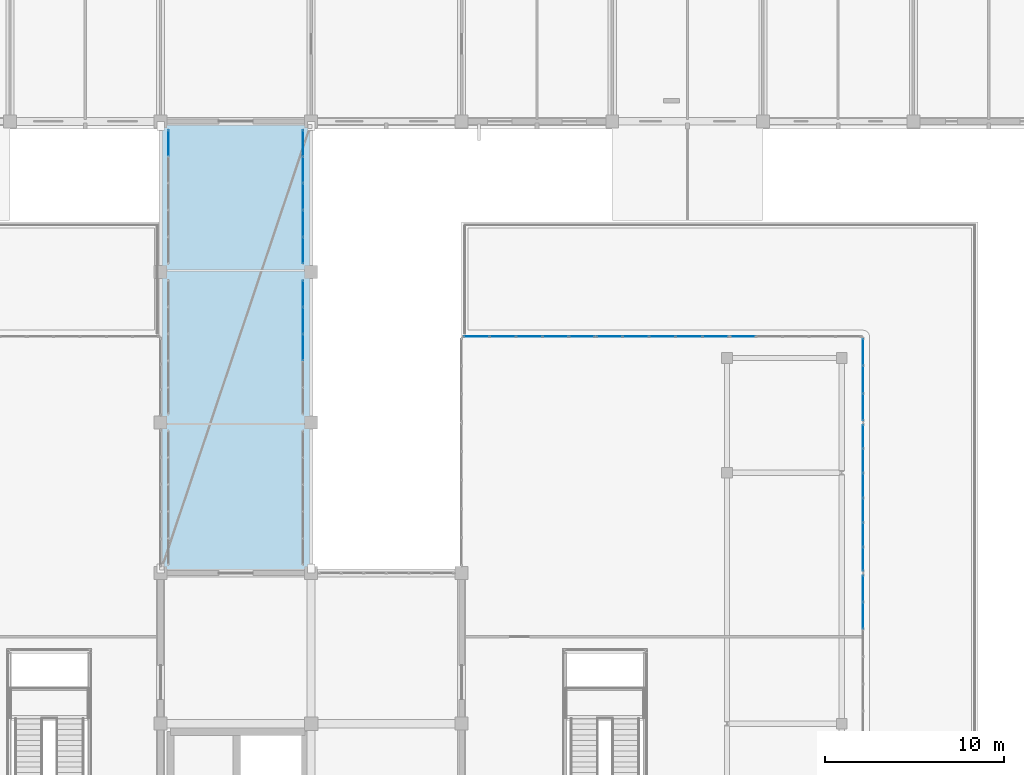
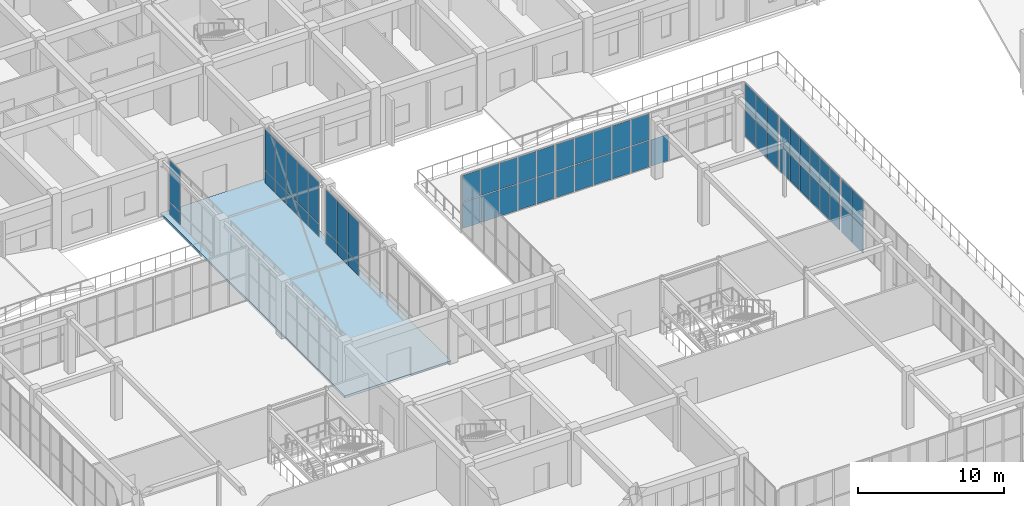
# One storey, part 109 of 158: 61 plates, 1 slab, 9 elements without a shape of their own.
"""IFC4 building model written with IfcOpenShell, lengths in metres."""

from ifc_helpers import new_model, si_unit, direction, frame, origin, origin_2d, place, context, subcontext, project, spatial, polyline, rectangle, outline, extrude, material, layer, layer_set, type_object, element, aggregate, save


model = new_model("IFC4")

# Units and contexts
model_context = context("Model", 3, precision=1e-05, world=origin(), true_north=direction((0.0, 1.0)))
body_context = subcontext(model_context, "Body", "Model", "MODEL_VIEW")
ifc_project = project(units=[si_unit("LENGTHUNIT", "METRE"), si_unit("AREAUNIT", "SQUARE_METRE"), si_unit("VOLUMEUNIT", "CUBIC_METRE"), si_unit("PLANEANGLEUNIT", "RADIAN"), si_unit("MASSUNIT", "GRAM", prefix="KILO")], contexts=[model_context])

# Site, building, storey
site_placement = place(None, origin())
site = spatial("IfcSite", under=ifc_project, at=site_placement, CompositionType="ELEMENT")
building_placement = place(site_placement, origin())
building = spatial("IfcBuilding", under=site, at=building_placement, Name="Trelvath General Hospital", CompositionType="ELEMENT")
storey_placement = place(building_placement, frame((0.0, 0.0, 8.10009765625)))
storey = spatial("IfcBuildingStorey", under=building, at=storey_placement, Name="L02", CompositionType="ELEMENT", Elevation=8.10009765625)

# Slab
ifc_material_1 = material(Name="Concrete C35/45", Category="concrete")
ifc_layer_1 = layer(ifc_material_1, 0.18994140625)
ifc_layer_set_1 = layer_set([ifc_layer_1], Name="Concrete C35/45")
slab_type = type_object("IfcSlabType", Name="BridgeDeck 190", PredefinedType="FLOOR", material=ifc_layer_set_1)
slab_placement = place(storey_placement, frame((0.0, 0.0, -0.190185546875)))
element("IfcSlab", 1, at=slab_placement, inside=storey, type_object=slab_type, Name="Courtyard Bridge Deck BRG-N-C L02", PredefinedType="FLOOR", context=body_context, shape_type="SweptSolid", body=[
    extrude(outline(polyline([(75.60009765625, 67.199951171875), (84.0, 67.199951171875), (84.0, 92.39990234375), (75.60009765625, 92.39990234375), (75.60009765625, 67.199951171875)])), origin(), (0.0, 0.0, 1.0), 0.190185546875),
])

# Curtain wall, plates
ifc_material_2 = material(Name="Anodised aluminium and low-E glass", Category="aluminium")
ifc_layer_2 = layer(ifc_material_2, 0.139892578125)
ifc_layer_set_2 = layer_set([ifc_layer_2], Name="Anodised aluminium and low-E glass")
curtain_wall_type_1 = type_object("IfcCurtainWallType", Name="CW CrystalCube 737 456 14", PredefinedType="USERDEFINED", material=ifc_layer_set_2)
curtain_wall_1_placement = place(storey_placement, origin())
curtain_wall_1 = element("IfcCurtainWall", 2, at=curtain_wall_1_placement, inside=storey, type_object=curtain_wall_type_1, Name="Crystal Cube Curtain Wall CUBE-E-T1 N1 L02", ObjectType="Unitised Glazed Curtain Wall", PredefinedType="USERDEFINED")
ifc_material_3 = material(Name="Low-E laminated glass", Category="glass")
ifc_layer_3 = layer(ifc_material_3, 0.028076171875)
ifc_layer_set_3 = layer_set([ifc_layer_3], Name="Low-E laminated glass")
plate_type = type_object("IfcPlateType", Name="CurtainPanel Glass28", PredefinedType="CURTAIN_PANEL", material=ifc_layer_set_3)
plate_1_placement = place(storey_placement, frame((93.231689453125, 80.39990234375, 0.059814453125), z_axis=(0.0, 0.0, 1.0), x_axis=(1.0, 0.0, 0.0)))
plate_1 = element("IfcPlate", 3, at=plate_1_placement, type_object=plate_type, Name="CW-208 panel 1.1", PredefinedType="CURTAIN_PANEL", context=body_context, shape_type="SweptSolid", body=[
    extrude(rectangle(XDim=1.38330078125, YDim=0.028076171875, at=origin_2d()), origin(), (0.0, 0.0, 1.0), 2.18994140625),
])
plate_2_placement = place(storey_placement, frame((93.231689453125, 80.39990234375, 2.309814453125), z_axis=(0.0, 0.0, 1.0), x_axis=(1.0, 0.0, 0.0)))
plate_2 = element("IfcPlate", 4, at=plate_2_placement, type_object=plate_type, Name="CW-208 panel 1.2", PredefinedType="CURTAIN_PANEL", context=body_context, shape_type="SweptSolid", body=[
    extrude(rectangle(XDim=1.38330078125, YDim=0.028076171875, at=origin_2d()), origin(), (0.0, 0.0, 1.0), 2.18994140625),
])
plate_3_placement = place(storey_placement, frame((94.68994140625, 80.39990234375, 0.059814453125), z_axis=(0.0, 0.0, 1.0), x_axis=(1.0, 0.0, 0.0)))
plate_3 = element("IfcPlate", 5, at=plate_3_placement, type_object=plate_type, Name="CW-208 panel 2.1", PredefinedType="CURTAIN_PANEL", context=body_context, shape_type="SweptSolid", body=[
    extrude(rectangle(XDim=1.413330078125, YDim=0.028076171875, at=origin_2d()), origin(), (0.0, 0.0, 1.0), 2.18994140625),
])
plate_4_placement = place(storey_placement, frame((94.68994140625, 80.39990234375, 2.309814453125), z_axis=(0.0, 0.0, 1.0), x_axis=(1.0, 0.0, 0.0)))
plate_4 = element("IfcPlate", 6, at=plate_4_placement, type_object=plate_type, Name="CW-208 panel 2.2", PredefinedType="CURTAIN_PANEL", context=body_context, shape_type="SweptSolid", body=[
    extrude(rectangle(XDim=1.413330078125, YDim=0.028076171875, at=origin_2d()), origin(), (0.0, 0.0, 1.0), 2.18994140625),
])
plate_5_placement = place(storey_placement, frame((96.163330078125, 80.39990234375, 0.059814453125), z_axis=(0.0, 0.0, 1.0), x_axis=(1.0, 0.0, 0.0)))
plate_5 = element("IfcPlate", 7, at=plate_5_placement, type_object=plate_type, Name="CW-208 panel 3.1", PredefinedType="CURTAIN_PANEL", context=body_context, shape_type="SweptSolid", body=[
    extrude(rectangle(XDim=1.413330078125, YDim=0.028076171875, at=origin_2d()), origin(), (0.0, 0.0, 1.0), 2.18994140625),
])
plate_6_placement = place(storey_placement, frame((96.163330078125, 80.39990234375, 2.309814453125), z_axis=(0.0, 0.0, 1.0), x_axis=(1.0, 0.0, 0.0)))
plate_6 = element("IfcPlate", 8, at=plate_6_placement, type_object=plate_type, Name="CW-208 panel 3.2", PredefinedType="CURTAIN_PANEL", context=body_context, shape_type="SweptSolid", body=[
    extrude(rectangle(XDim=1.413330078125, YDim=0.028076171875, at=origin_2d()), origin(), (0.0, 0.0, 1.0), 2.18994140625),
])
plate_7_placement = place(storey_placement, frame((97.63671875, 80.39990234375, 0.059814453125), z_axis=(0.0, 0.0, 1.0), x_axis=(1.0, 0.0, 0.0)))
plate_7 = element("IfcPlate", 9, at=plate_7_placement, type_object=plate_type, Name="CW-208 panel 4.1", PredefinedType="CURTAIN_PANEL", context=body_context, shape_type="SweptSolid", body=[
    extrude(rectangle(XDim=1.413330078125, YDim=0.028076171875, at=origin_2d()), origin(), (0.0, 0.0, 1.0), 2.18994140625),
])
plate_8_placement = place(storey_placement, frame((97.63671875, 80.39990234375, 2.309814453125), z_axis=(0.0, 0.0, 1.0), x_axis=(1.0, 0.0, 0.0)))
plate_8 = element("IfcPlate", 10, at=plate_8_placement, type_object=plate_type, Name="CW-208 panel 4.2", PredefinedType="CURTAIN_PANEL", context=body_context, shape_type="SweptSolid", body=[
    extrude(rectangle(XDim=1.413330078125, YDim=0.028076171875, at=origin_2d()), origin(), (0.0, 0.0, 1.0), 2.18994140625),
])
plate_9_placement = place(storey_placement, frame((99.094970703125, 80.39990234375, 0.059814453125), z_axis=(0.0, 0.0, 1.0), x_axis=(1.0, 0.0, 0.0)))
plate_9 = element("IfcPlate", 11, at=plate_9_placement, type_object=plate_type, Name="CW-208 panel 5.1", PredefinedType="CURTAIN_PANEL", context=body_context, shape_type="SweptSolid", body=[
    extrude(rectangle(XDim=1.38330078125, YDim=0.028076171875, at=origin_2d()), origin(), (0.0, 0.0, 1.0), 2.18994140625),
])
plate_10_placement = place(storey_placement, frame((99.094970703125, 80.39990234375, 2.309814453125), z_axis=(0.0, 0.0, 1.0), x_axis=(1.0, 0.0, 0.0)))
plate_10 = element("IfcPlate", 12, at=plate_10_placement, type_object=plate_type, Name="CW-208 panel 5.2", PredefinedType="CURTAIN_PANEL", context=body_context, shape_type="SweptSolid", body=[
    extrude(rectangle(XDim=1.38330078125, YDim=0.028076171875, at=origin_2d()), origin(), (0.0, 0.0, 1.0), 2.18994140625),
])
aggregate(curtain_wall_1, [plate_1, plate_2, plate_3, plate_4, plate_5, plate_6, plate_7, plate_8, plate_9, plate_10])

ifc_material_4 = material(Name="Anodised aluminium and low-E glass", Category="aluminium")
ifc_layer_4 = layer(ifc_material_4, 0.139892578125)
ifc_layer_set_4 = layer_set([ifc_layer_4], Name="Anodised aluminium and low-E glass")
curtain_wall_type_2 = type_object("IfcCurtainWallType", Name="CW CrystalCube 743 456 14", PredefinedType="USERDEFINED", material=ifc_layer_set_4)
curtain_wall_2_placement = place(storey_placement, origin())
curtain_wall_2 = element("IfcCurtainWall", 13, at=curtain_wall_2_placement, inside=storey, type_object=curtain_wall_type_2, Name="Crystal Cube Curtain Wall CUBE-E-T1 N2 L02", ObjectType="Unitised Glazed Curtain Wall", PredefinedType="USERDEFINED")
plate_11_placement = place(storey_placement, frame((100.644287109375, 80.39990234375, 0.059814453125), z_axis=(0.0, 0.0, 1.0), x_axis=(1.0, 0.0, 0.0)))
plate_11 = element("IfcPlate", 14, at=plate_11_placement, type_object=plate_type, Name="CW-209 panel 1.1", PredefinedType="CURTAIN_PANEL", context=body_context, shape_type="SweptSolid", body=[
    extrude(rectangle(XDim=1.395263671875, YDim=0.028076171875, at=origin_2d()), origin(), (0.0, 0.0, 1.0), 2.18994140625),
])
plate_12_placement = place(storey_placement, frame((100.644287109375, 80.39990234375, 2.309814453125), z_axis=(0.0, 0.0, 1.0), x_axis=(1.0, 0.0, 0.0)))
plate_12 = element("IfcPlate", 15, at=plate_12_placement, type_object=plate_type, Name="CW-209 panel 1.2", PredefinedType="CURTAIN_PANEL", context=body_context, shape_type="SweptSolid", body=[
    extrude(rectangle(XDim=1.395263671875, YDim=0.028076171875, at=origin_2d()), origin(), (0.0, 0.0, 1.0), 2.18994140625),
])
plate_13_placement = place(storey_placement, frame((102.11474609375, 80.39990234375, 0.059814453125), z_axis=(0.0, 0.0, 1.0), x_axis=(1.0, 0.0, 0.0)))
plate_13 = element("IfcPlate", 16, at=plate_13_placement, type_object=plate_type, Name="CW-209 panel 2.1", PredefinedType="CURTAIN_PANEL", context=body_context, shape_type="SweptSolid", body=[
    extrude(rectangle(XDim=1.42529296875, YDim=0.028076171875, at=origin_2d()), origin(), (0.0, 0.0, 1.0), 2.18994140625),
])
plate_14_placement = place(storey_placement, frame((102.11474609375, 80.39990234375, 2.309814453125), z_axis=(0.0, 0.0, 1.0), x_axis=(1.0, 0.0, 0.0)))
plate_14 = element("IfcPlate", 17, at=plate_14_placement, type_object=plate_type, Name="CW-209 panel 2.2", PredefinedType="CURTAIN_PANEL", context=body_context, shape_type="SweptSolid", body=[
    extrude(rectangle(XDim=1.42529296875, YDim=0.028076171875, at=origin_2d()), origin(), (0.0, 0.0, 1.0), 2.18994140625),
])
plate_15_placement = place(storey_placement, frame((103.60009765625, 80.39990234375, 0.059814453125), z_axis=(0.0, 0.0, 1.0), x_axis=(1.0, 0.0, 0.0)))
plate_15 = element("IfcPlate", 18, at=plate_15_placement, type_object=plate_type, Name="CW-209 panel 3.1", PredefinedType="CURTAIN_PANEL", context=body_context, shape_type="SweptSolid", body=[
    extrude(rectangle(XDim=1.42529296875, YDim=0.028076171875, at=origin_2d()), origin(), (0.0, 0.0, 1.0), 2.18994140625),
])
plate_16_placement = place(storey_placement, frame((103.60009765625, 80.39990234375, 2.309814453125), z_axis=(0.0, 0.0, 1.0), x_axis=(1.0, 0.0, 0.0)))
plate_16 = element("IfcPlate", 19, at=plate_16_placement, type_object=plate_type, Name="CW-209 panel 3.2", PredefinedType="CURTAIN_PANEL", context=body_context, shape_type="SweptSolid", body=[
    extrude(rectangle(XDim=1.42529296875, YDim=0.028076171875, at=origin_2d()), origin(), (0.0, 0.0, 1.0), 2.18994140625),
])
plate_17_placement = place(storey_placement, frame((105.085205078125, 80.39990234375, 0.059814453125), z_axis=(0.0, 0.0, 1.0), x_axis=(1.0, 0.0, 0.0)))
plate_17 = element("IfcPlate", 20, at=plate_17_placement, type_object=plate_type, Name="CW-209 panel 4.1", PredefinedType="CURTAIN_PANEL", context=body_context, shape_type="SweptSolid", body=[
    extrude(rectangle(XDim=1.42529296875, YDim=0.028076171875, at=origin_2d()), origin(), (0.0, 0.0, 1.0), 2.18994140625),
])
plate_18_placement = place(storey_placement, frame((105.085205078125, 80.39990234375, 2.309814453125), z_axis=(0.0, 0.0, 1.0), x_axis=(1.0, 0.0, 0.0)))
plate_18 = element("IfcPlate", 21, at=plate_18_placement, type_object=plate_type, Name="CW-209 panel 4.2", PredefinedType="CURTAIN_PANEL", context=body_context, shape_type="SweptSolid", body=[
    extrude(rectangle(XDim=1.42529296875, YDim=0.028076171875, at=origin_2d()), origin(), (0.0, 0.0, 1.0), 2.18994140625),
])
plate_19_placement = place(storey_placement, frame((106.5556640625, 80.39990234375, 0.059814453125), z_axis=(0.0, 0.0, 1.0), x_axis=(1.0, 0.0, 0.0)))
plate_19 = element("IfcPlate", 22, at=plate_19_placement, type_object=plate_type, Name="CW-209 panel 5.1", PredefinedType="CURTAIN_PANEL", context=body_context, shape_type="SweptSolid", body=[
    extrude(rectangle(XDim=1.395263671875, YDim=0.028076171875, at=origin_2d()), origin(), (0.0, 0.0, 1.0), 2.18994140625),
])
plate_20_placement = place(storey_placement, frame((106.5556640625, 80.39990234375, 2.309814453125), z_axis=(0.0, 0.0, 1.0), x_axis=(1.0, 0.0, 0.0)))
plate_20 = element("IfcPlate", 23, at=plate_20_placement, type_object=plate_type, Name="CW-209 panel 5.2", PredefinedType="CURTAIN_PANEL", context=body_context, shape_type="SweptSolid", body=[
    extrude(rectangle(XDim=1.395263671875, YDim=0.028076171875, at=origin_2d()), origin(), (0.0, 0.0, 1.0), 2.18994140625),
])
aggregate(curtain_wall_2, [plate_11, plate_12, plate_13, plate_14, plate_15, plate_16, plate_17, plate_18, plate_19, plate_20])

# Curtain wall, plate
curtain_wall_3_placement = place(storey_placement, origin())
curtain_wall_3 = element("IfcCurtainWall", 24, at=curtain_wall_3_placement, inside=storey, type_object=curtain_wall_type_1, Name="Crystal Cube Curtain Wall CUBE-E-T1 N3 L02", ObjectType="Unitised Glazed Curtain Wall", PredefinedType="USERDEFINED")
plate_21_placement = place(storey_placement, frame((108.10498046875, 80.39990234375, 0.059814453125), z_axis=(0.0, 0.0, 1.0), x_axis=(1.0, 0.0, 0.0)))
plate_21 = element("IfcPlate", 25, at=plate_21_placement, type_object=plate_type, Name="CW-210 panel 1.1", PredefinedType="CURTAIN_PANEL", context=body_context, shape_type="SweptSolid", body=[
    extrude(rectangle(XDim=1.38330078125, YDim=0.028076171875, at=origin_2d()), origin(), (0.0, 0.0, 1.0), 2.18994140625),
])
aggregate(curtain_wall_3, [plate_21])

# Curtain wall, plates
ifc_material_5 = material(Name="Anodised aluminium and low-E glass", Category="aluminium")
ifc_layer_5 = layer(ifc_material_5, 0.139892578125)
ifc_layer_set_5 = layer_set([ifc_layer_5], Name="Anodised aluminium and low-E glass")
curtain_wall_type_3 = type_object("IfcCurtainWallType", Name="CW CrystalCube 914 456 14", PredefinedType="USERDEFINED", material=ifc_layer_set_5)
curtain_wall_4_placement = place(storey_placement, origin())
curtain_wall_4 = element("IfcCurtainWall", 26, at=curtain_wall_4_placement, inside=storey, type_object=curtain_wall_type_3, Name="Crystal Cube Curtain Wall CUBE-E-T1 E5 L02", ObjectType="Unitised Glazed Curtain Wall", PredefinedType="USERDEFINED")
plate_22_placement = place(storey_placement, frame((114.800048828125, 66.34326171875, 0.059814453125), z_axis=(0.0, 0.0, 1.0), x_axis=(0.0, -1.0, 0.0)))
plate_22 = element("IfcPlate", 27, at=plate_22_placement, type_object=plate_type, Name="CW-215 panel 1.1", PredefinedType="CURTAIN_PANEL", context=body_context, shape_type="SweptSolid", body=[
    extrude(rectangle(XDim=1.433349609375, YDim=0.028076171875, at=origin_2d()), origin(), (0.0, 0.0, 1.0), 2.18994140625),
])
plate_23_placement = place(storey_placement, frame((114.800048828125, 66.34326171875, 2.309814453125), z_axis=(0.0, 0.0, 1.0), x_axis=(0.0, -1.0, 0.0)))
plate_23 = element("IfcPlate", 28, at=plate_23_placement, type_object=plate_type, Name="CW-215 panel 1.2", PredefinedType="CURTAIN_PANEL", context=body_context, shape_type="SweptSolid", body=[
    extrude(rectangle(XDim=1.433349609375, YDim=0.028076171875, at=origin_2d()), origin(), (0.0, 0.0, 1.0), 2.18994140625),
])
plate_24_placement = place(storey_placement, frame((114.800048828125, 64.8349609375, 0.059814453125), z_axis=(0.0, 0.0, 1.0), x_axis=(0.0, -1.0, 0.0)))
plate_24 = element("IfcPlate", 29, at=plate_24_placement, type_object=plate_type, Name="CW-215 panel 2.1", PredefinedType="CURTAIN_PANEL", context=body_context, shape_type="SweptSolid", body=[
    extrude(rectangle(XDim=1.46337890625, YDim=0.028076171875, at=origin_2d()), origin(), (0.0, 0.0, 1.0), 2.18994140625),
])
plate_25_placement = place(storey_placement, frame((114.800048828125, 64.8349609375, 2.309814453125), z_axis=(0.0, 0.0, 1.0), x_axis=(0.0, -1.0, 0.0)))
plate_25 = element("IfcPlate", 30, at=plate_25_placement, type_object=plate_type, Name="CW-215 panel 2.2", PredefinedType="CURTAIN_PANEL", context=body_context, shape_type="SweptSolid", body=[
    extrude(rectangle(XDim=1.46337890625, YDim=0.028076171875, at=origin_2d()), origin(), (0.0, 0.0, 1.0), 2.18994140625),
])
aggregate(curtain_wall_4, [plate_22, plate_23, plate_24, plate_25])

ifc_material_6 = material(Name="Anodised aluminium and low-E glass", Category="aluminium")
ifc_layer_6 = layer(ifc_material_6, 0.139892578125)
ifc_layer_set_6 = layer_set([ifc_layer_6], Name="Anodised aluminium and low-E glass")
curtain_wall_type_4 = type_object("IfcCurtainWallType", Name="CW CrystalCube 824 456 14", PredefinedType="USERDEFINED", material=ifc_layer_set_6)
curtain_wall_5_placement = place(storey_placement, origin())
curtain_wall_5 = element("IfcCurtainWall", 31, at=curtain_wall_5_placement, inside=storey, type_object=curtain_wall_type_4, Name="Crystal Cube Curtain Wall CUBE-E-T1 E6 L02", ObjectType="Unitised Glazed Curtain Wall", PredefinedType="USERDEFINED")
plate_26_placement = place(storey_placement, frame((114.800048828125, 74.818359375, 0.059814453125), z_axis=(0.0, 0.0, 1.0), x_axis=(0.0, -1.0, 0.0)))
plate_26 = element("IfcPlate", 32, at=plate_26_placement, type_object=plate_type, Name="CW-216 panel 1.1", PredefinedType="CURTAIN_PANEL", context=body_context, shape_type="SweptSolid", body=[
    extrude(rectangle(XDim=1.283447265625, YDim=0.028076171875, at=origin_2d()), origin(), (0.0, 0.0, 1.0), 2.18994140625),
])
plate_27_placement = place(storey_placement, frame((114.800048828125, 74.818359375, 2.309814453125), z_axis=(0.0, 0.0, 1.0), x_axis=(0.0, -1.0, 0.0)))
plate_27 = element("IfcPlate", 33, at=plate_27_placement, type_object=plate_type, Name="CW-216 panel 1.2", PredefinedType="CURTAIN_PANEL", context=body_context, shape_type="SweptSolid", body=[
    extrude(rectangle(XDim=1.283447265625, YDim=0.028076171875, at=origin_2d()), origin(), (0.0, 0.0, 1.0), 2.18994140625),
])
plate_28_placement = place(storey_placement, frame((114.800048828125, 73.4599609375, 0.059814453125), z_axis=(0.0, 0.0, 1.0), x_axis=(0.0, -1.0, 0.0)))
plate_28 = element("IfcPlate", 34, at=plate_28_placement, type_object=plate_type, Name="CW-216 panel 2.1", PredefinedType="CURTAIN_PANEL", context=body_context, shape_type="SweptSolid", body=[
    extrude(rectangle(XDim=1.313232421875, YDim=0.028076171875, at=origin_2d()), origin(), (0.0, 0.0, 1.0), 2.18994140625),
])
plate_29_placement = place(storey_placement, frame((114.800048828125, 73.4599609375, 2.309814453125), z_axis=(0.0, 0.0, 1.0), x_axis=(0.0, -1.0, 0.0)))
plate_29 = element("IfcPlate", 35, at=plate_29_placement, type_object=plate_type, Name="CW-216 panel 2.2", PredefinedType="CURTAIN_PANEL", context=body_context, shape_type="SweptSolid", body=[
    extrude(rectangle(XDim=1.313232421875, YDim=0.028076171875, at=origin_2d()), origin(), (0.0, 0.0, 1.0), 2.18994140625),
])
plate_30_placement = place(storey_placement, frame((114.800048828125, 72.086669921875, 0.059814453125), z_axis=(0.0, 0.0, 1.0), x_axis=(0.0, -1.0, 0.0)))
plate_30 = element("IfcPlate", 36, at=plate_30_placement, type_object=plate_type, Name="CW-216 panel 3.1", PredefinedType="CURTAIN_PANEL", context=body_context, shape_type="SweptSolid", body=[
    extrude(rectangle(XDim=1.313232421875, YDim=0.028076171875, at=origin_2d()), origin(), (0.0, 0.0, 1.0), 2.18994140625),
])
plate_31_placement = place(storey_placement, frame((114.800048828125, 72.086669921875, 2.309814453125), z_axis=(0.0, 0.0, 1.0), x_axis=(0.0, -1.0, 0.0)))
plate_31 = element("IfcPlate", 37, at=plate_31_placement, type_object=plate_type, Name="CW-216 panel 3.2", PredefinedType="CURTAIN_PANEL", context=body_context, shape_type="SweptSolid", body=[
    extrude(rectangle(XDim=1.313232421875, YDim=0.028076171875, at=origin_2d()), origin(), (0.0, 0.0, 1.0), 2.18994140625),
])
plate_32_placement = place(storey_placement, frame((114.800048828125, 70.71337890625, 0.059814453125), z_axis=(0.0, 0.0, 1.0), x_axis=(0.0, -1.0, 0.0)))
plate_32 = element("IfcPlate", 38, at=plate_32_placement, type_object=plate_type, Name="CW-216 panel 4.1", PredefinedType="CURTAIN_PANEL", context=body_context, shape_type="SweptSolid", body=[
    extrude(rectangle(XDim=1.313232421875, YDim=0.028076171875, at=origin_2d()), origin(), (0.0, 0.0, 1.0), 2.18994140625),
])
plate_33_placement = place(storey_placement, frame((114.800048828125, 70.71337890625, 2.309814453125), z_axis=(0.0, 0.0, 1.0), x_axis=(0.0, -1.0, 0.0)))
plate_33 = element("IfcPlate", 39, at=plate_33_placement, type_object=plate_type, Name="CW-216 panel 4.2", PredefinedType="CURTAIN_PANEL", context=body_context, shape_type="SweptSolid", body=[
    extrude(rectangle(XDim=1.313232421875, YDim=0.028076171875, at=origin_2d()), origin(), (0.0, 0.0, 1.0), 2.18994140625),
])
plate_34_placement = place(storey_placement, frame((114.800048828125, 69.340087890625, 0.059814453125), z_axis=(0.0, 0.0, 1.0), x_axis=(0.0, -1.0, 0.0)))
plate_34 = element("IfcPlate", 40, at=plate_34_placement, type_object=plate_type, Name="CW-216 panel 5.1", PredefinedType="CURTAIN_PANEL", context=body_context, shape_type="SweptSolid", body=[
    extrude(rectangle(XDim=1.313232421875, YDim=0.028076171875, at=origin_2d()), origin(), (0.0, 0.0, 1.0), 2.18994140625),
])
plate_35_placement = place(storey_placement, frame((114.800048828125, 69.340087890625, 2.309814453125), z_axis=(0.0, 0.0, 1.0), x_axis=(0.0, -1.0, 0.0)))
plate_35 = element("IfcPlate", 41, at=plate_35_placement, type_object=plate_type, Name="CW-216 panel 5.2", PredefinedType="CURTAIN_PANEL", context=body_context, shape_type="SweptSolid", body=[
    extrude(rectangle(XDim=1.313232421875, YDim=0.028076171875, at=origin_2d()), origin(), (0.0, 0.0, 1.0), 2.18994140625),
])
plate_36_placement = place(storey_placement, frame((114.800048828125, 67.981689453125, 0.059814453125), z_axis=(0.0, 0.0, 1.0), x_axis=(0.0, -1.0, 0.0)))
plate_36 = element("IfcPlate", 42, at=plate_36_placement, type_object=plate_type, Name="CW-216 panel 6.1", PredefinedType="CURTAIN_PANEL", context=body_context, shape_type="SweptSolid", body=[
    extrude(rectangle(XDim=1.283447265625, YDim=0.028076171875, at=origin_2d()), origin(), (0.0, 0.0, 1.0), 2.18994140625),
])
plate_37_placement = place(storey_placement, frame((114.800048828125, 67.981689453125, 2.309814453125), z_axis=(0.0, 0.0, 1.0), x_axis=(0.0, -1.0, 0.0)))
plate_37 = element("IfcPlate", 43, at=plate_37_placement, type_object=plate_type, Name="CW-216 panel 6.2", PredefinedType="CURTAIN_PANEL", context=body_context, shape_type="SweptSolid", body=[
    extrude(rectangle(XDim=1.283447265625, YDim=0.028076171875, at=origin_2d()), origin(), (0.0, 0.0, 1.0), 2.18994140625),
])
aggregate(curtain_wall_5, [plate_26, plate_27, plate_28, plate_29, plate_30, plate_31, plate_32, plate_33, plate_34, plate_35, plate_36, plate_37])

ifc_material_7 = material(Name="Anodised aluminium and low-E glass", Category="aluminium")
ifc_layer_7 = layer(ifc_material_7, 0.139892578125)
ifc_layer_set_7 = layer_set([ifc_layer_7], Name="Anodised aluminium and low-E glass")
curtain_wall_type_5 = type_object("IfcCurtainWallType", Name="CW CrystalCube 464 456 14", PredefinedType="USERDEFINED", material=ifc_layer_set_7)
curtain_wall_6_placement = place(storey_placement, origin())
curtain_wall_6 = element("IfcCurtainWall", 44, at=curtain_wall_6_placement, inside=storey, type_object=curtain_wall_type_5, Name="Crystal Cube Curtain Wall CUBE-E-T1 E7 L02", ObjectType="Unitised Glazed Curtain Wall", PredefinedType="USERDEFINED")
plate_38_placement = place(storey_placement, frame((114.800048828125, 79.53173828125, 0.059814453125), z_axis=(0.0, 0.0, 1.0), x_axis=(0.0, -1.0, 0.0)))
plate_38 = element("IfcPlate", 45, at=plate_38_placement, type_object=plate_type, Name="CW-218 panel 1.1", PredefinedType="CURTAIN_PANEL", context=body_context, shape_type="SweptSolid", body=[
    extrude(rectangle(XDim=1.456787109375, YDim=0.028076171875, at=origin_2d()), origin(), (0.0, 0.0, 1.0), 2.18994140625),
])
plate_39_placement = place(storey_placement, frame((114.800048828125, 79.53173828125, 2.309814453125), z_axis=(0.0, 0.0, 1.0), x_axis=(0.0, -1.0, 0.0)))
plate_39 = element("IfcPlate", 46, at=plate_39_placement, type_object=plate_type, Name="CW-218 panel 1.2", PredefinedType="CURTAIN_PANEL", context=body_context, shape_type="SweptSolid", body=[
    extrude(rectangle(XDim=1.456787109375, YDim=0.028076171875, at=origin_2d()), origin(), (0.0, 0.0, 1.0), 2.18994140625),
])
plate_40_placement = place(storey_placement, frame((114.800048828125, 78.0, 0.059814453125), z_axis=(0.0, 0.0, 1.0), x_axis=(0.0, -1.0, 0.0)))
plate_40 = element("IfcPlate", 47, at=plate_40_placement, type_object=plate_type, Name="CW-218 panel 2.1", PredefinedType="CURTAIN_PANEL", context=body_context, shape_type="SweptSolid", body=[
    extrude(rectangle(XDim=1.486572265625, YDim=0.028076171875, at=origin_2d()), origin(), (0.0, 0.0, 1.0), 2.18994140625),
])
plate_41_placement = place(storey_placement, frame((114.800048828125, 78.0, 2.309814453125), z_axis=(0.0, 0.0, 1.0), x_axis=(0.0, -1.0, 0.0)))
plate_41 = element("IfcPlate", 48, at=plate_41_placement, type_object=plate_type, Name="CW-218 panel 2.2", PredefinedType="CURTAIN_PANEL", context=body_context, shape_type="SweptSolid", body=[
    extrude(rectangle(XDim=1.486572265625, YDim=0.028076171875, at=origin_2d()), origin(), (0.0, 0.0, 1.0), 2.18994140625),
])
plate_42_placement = place(storey_placement, frame((114.800048828125, 76.46826171875, 0.059814453125), z_axis=(0.0, 0.0, 1.0), x_axis=(0.0, -1.0, 0.0)))
plate_42 = element("IfcPlate", 49, at=plate_42_placement, type_object=plate_type, Name="CW-218 panel 3.1", PredefinedType="CURTAIN_PANEL", context=body_context, shape_type="SweptSolid", body=[
    extrude(rectangle(XDim=1.456787109375, YDim=0.028076171875, at=origin_2d()), origin(), (0.0, 0.0, 1.0), 2.18994140625),
])
plate_43_placement = place(storey_placement, frame((114.800048828125, 76.46826171875, 2.309814453125), z_axis=(0.0, 0.0, 1.0), x_axis=(0.0, -1.0, 0.0)))
plate_43 = element("IfcPlate", 50, at=plate_43_placement, type_object=plate_type, Name="CW-218 panel 3.2", PredefinedType="CURTAIN_PANEL", context=body_context, shape_type="SweptSolid", body=[
    extrude(rectangle(XDim=1.456787109375, YDim=0.028076171875, at=origin_2d()), origin(), (0.0, 0.0, 1.0), 2.18994140625),
])
aggregate(curtain_wall_6, [plate_38, plate_39, plate_40, plate_41, plate_42, plate_43])

ifc_material_8 = material(Name="Anodised aluminium and low-E glass", Category="aluminium")
ifc_layer_8 = layer(ifc_material_8, 0.139892578125)
ifc_layer_set_8 = layer_set([ifc_layer_8], Name="Anodised aluminium and low-E glass")
curtain_wall_type_6 = type_object("IfcCurtainWallType", Name="CW Bridge 752 461", PredefinedType="USERDEFINED", material=ifc_layer_set_8)
curtain_wall_7_placement = place(storey_placement, origin())
curtain_wall_7 = element("IfcCurtainWall", 51, at=curtain_wall_7_placement, inside=storey, type_object=curtain_wall_type_6, Name="Glazed Bridge Curtain Wall BRG-N-C E L02", ObjectType="Unitised Glazed Curtain Wall", PredefinedType="USERDEFINED")
plate_44_placement = place(storey_placement, frame((83.56005859375, 82.79296875, 0.06005859375), z_axis=(0.0, 0.0, 1.0), x_axis=(0.0, -1.0, 0.0)))
plate_44 = element("IfcPlate", 52, at=plate_44_placement, type_object=plate_type, Name="CW-223 panel 1.1", PredefinedType="CURTAIN_PANEL", context=body_context, shape_type="SweptSolid", body=[
    extrude(rectangle(XDim=1.4140625, YDim=0.028076171875, at=origin_2d()), origin(), (0.0, 0.0, 1.0), 1.010009765625),
])
plate_45_placement = place(storey_placement, frame((83.56005859375, 82.79296875, 1.1298828125), z_axis=(0.0, 0.0, 1.0), x_axis=(0.0, -1.0, 0.0)))
plate_45 = element("IfcPlate", 53, at=plate_45_placement, type_object=plate_type, Name="CW-223 panel 1.2", PredefinedType="CURTAIN_PANEL", context=body_context, shape_type="SweptSolid", body=[
    extrude(rectangle(XDim=1.4140625, YDim=0.028076171875, at=origin_2d()), origin(), (0.0, 0.0, 1.0), 3.419921875),
])
plate_46_placement = place(storey_placement, frame((83.56005859375, 81.303955078125, 0.06005859375), z_axis=(0.0, 0.0, 1.0), x_axis=(0.0, -1.0, 0.0)))
plate_46 = element("IfcPlate", 54, at=plate_46_placement, type_object=plate_type, Name="CW-223 panel 2.1", PredefinedType="CURTAIN_PANEL", context=body_context, shape_type="SweptSolid", body=[
    extrude(rectangle(XDim=1.444091796875, YDim=0.028076171875, at=origin_2d()), origin(), (0.0, 0.0, 1.0), 1.010009765625),
])
plate_47_placement = place(storey_placement, frame((83.56005859375, 81.303955078125, 1.1298828125), z_axis=(0.0, 0.0, 1.0), x_axis=(0.0, -1.0, 0.0)))
plate_47 = element("IfcPlate", 55, at=plate_47_placement, type_object=plate_type, Name="CW-223 panel 2.2", PredefinedType="CURTAIN_PANEL", context=body_context, shape_type="SweptSolid", body=[
    extrude(rectangle(XDim=1.444091796875, YDim=0.028076171875, at=origin_2d()), origin(), (0.0, 0.0, 1.0), 3.419921875),
])
plate_48_placement = place(storey_placement, frame((83.56005859375, 79.800048828125, 0.06005859375), z_axis=(0.0, 0.0, 1.0), x_axis=(0.0, -1.0, 0.0)))
plate_48 = element("IfcPlate", 56, at=plate_48_placement, type_object=plate_type, Name="CW-223 panel 3.1", PredefinedType="CURTAIN_PANEL", context=body_context, shape_type="SweptSolid", body=[
    extrude(rectangle(XDim=1.444091796875, YDim=0.028076171875, at=origin_2d()), origin(), (0.0, 0.0, 1.0), 1.010009765625),
])
plate_49_placement = place(storey_placement, frame((83.56005859375, 79.800048828125, 1.1298828125), z_axis=(0.0, 0.0, 1.0), x_axis=(0.0, -1.0, 0.0)))
plate_49 = element("IfcPlate", 57, at=plate_49_placement, type_object=plate_type, Name="CW-223 panel 3.2", PredefinedType="CURTAIN_PANEL", context=body_context, shape_type="SweptSolid", body=[
    extrude(rectangle(XDim=1.444091796875, YDim=0.028076171875, at=origin_2d()), origin(), (0.0, 0.0, 1.0), 3.419921875),
])
aggregate(curtain_wall_7, [plate_44, plate_45, plate_46, plate_47, plate_48, plate_49])

curtain_wall_8_placement = place(storey_placement, origin())
curtain_wall_8 = element("IfcCurtainWall", 58, at=curtain_wall_8_placement, inside=storey, type_object=curtain_wall_type_6, Name="Glazed Bridge Curtain Wall BRG-N-C W L02", ObjectType="Unitised Glazed Curtain Wall", PredefinedType="USERDEFINED")
plate_50_placement = place(storey_placement, frame((76.0400390625, 91.193115234375, 0.06005859375), z_axis=(0.0, 0.0, 1.0), x_axis=(0.0, 1.0, 0.0)))
plate_50 = element("IfcPlate", 59, at=plate_50_placement, type_object=plate_type, Name="CW-224 panel 5.1", PredefinedType="CURTAIN_PANEL", context=body_context, shape_type="SweptSolid", body=[
    extrude(rectangle(XDim=1.4140625, YDim=0.028076171875, at=origin_2d()), origin(), (0.0, 0.0, 1.0), 1.010009765625),
])
plate_51_placement = place(storey_placement, frame((76.0400390625, 91.193115234375, 1.1298828125), z_axis=(0.0, 0.0, 1.0), x_axis=(0.0, 1.0, 0.0)))
plate_51 = element("IfcPlate", 60, at=plate_51_placement, type_object=plate_type, Name="CW-224 panel 5.2", PredefinedType="CURTAIN_PANEL", context=body_context, shape_type="SweptSolid", body=[
    extrude(rectangle(XDim=1.4140625, YDim=0.028076171875, at=origin_2d()), origin(), (0.0, 0.0, 1.0), 3.419921875),
])
aggregate(curtain_wall_8, [plate_50, plate_51])

curtain_wall_9_placement = place(storey_placement, origin())
curtain_wall_9 = element("IfcCurtainWall", 61, at=curtain_wall_9_placement, inside=storey, type_object=curtain_wall_type_6, Name="Glazed Bridge Curtain Wall BRG-N-C E L02", ObjectType="Unitised Glazed Curtain Wall", PredefinedType="USERDEFINED")
plate_52_placement = place(storey_placement, frame((83.56005859375, 91.193115234375, 0.06005859375), z_axis=(0.0, 0.0, 1.0), x_axis=(0.0, -1.0, 0.0)))
plate_52 = element("IfcPlate", 62, at=plate_52_placement, type_object=plate_type, Name="CW-225 panel 1.1", PredefinedType="CURTAIN_PANEL", context=body_context, shape_type="SweptSolid", body=[
    extrude(rectangle(XDim=1.4140625, YDim=0.028076171875, at=origin_2d()), origin(), (0.0, 0.0, 1.0), 1.010009765625),
])
plate_53_placement = place(storey_placement, frame((83.56005859375, 91.193115234375, 1.1298828125), z_axis=(0.0, 0.0, 1.0), x_axis=(0.0, -1.0, 0.0)))
plate_53 = element("IfcPlate", 63, at=plate_53_placement, type_object=plate_type, Name="CW-225 panel 1.2", PredefinedType="CURTAIN_PANEL", context=body_context, shape_type="SweptSolid", body=[
    extrude(rectangle(XDim=1.4140625, YDim=0.028076171875, at=origin_2d()), origin(), (0.0, 0.0, 1.0), 3.419921875),
])
plate_54_placement = place(storey_placement, frame((83.56005859375, 89.7041015625, 0.06005859375), z_axis=(0.0, 0.0, 1.0), x_axis=(0.0, -1.0, 0.0)))
plate_54 = element("IfcPlate", 64, at=plate_54_placement, type_object=plate_type, Name="CW-225 panel 2.1", PredefinedType="CURTAIN_PANEL", context=body_context, shape_type="SweptSolid", body=[
    extrude(rectangle(XDim=1.444091796875, YDim=0.028076171875, at=origin_2d()), origin(), (0.0, 0.0, 1.0), 1.010009765625),
])
plate_55_placement = place(storey_placement, frame((83.56005859375, 89.7041015625, 1.1298828125), z_axis=(0.0, 0.0, 1.0), x_axis=(0.0, -1.0, 0.0)))
plate_55 = element("IfcPlate", 65, at=plate_55_placement, type_object=plate_type, Name="CW-225 panel 2.2", PredefinedType="CURTAIN_PANEL", context=body_context, shape_type="SweptSolid", body=[
    extrude(rectangle(XDim=1.444091796875, YDim=0.028076171875, at=origin_2d()), origin(), (0.0, 0.0, 1.0), 3.419921875),
])
plate_56_placement = place(storey_placement, frame((83.56005859375, 88.199951171875, 0.06005859375), z_axis=(0.0, 0.0, 1.0), x_axis=(0.0, -1.0, 0.0)))
plate_56 = element("IfcPlate", 66, at=plate_56_placement, type_object=plate_type, Name="CW-225 panel 3.1", PredefinedType="CURTAIN_PANEL", context=body_context, shape_type="SweptSolid", body=[
    extrude(rectangle(XDim=1.444091796875, YDim=0.028076171875, at=origin_2d()), origin(), (0.0, 0.0, 1.0), 1.010009765625),
])
plate_57_placement = place(storey_placement, frame((83.56005859375, 88.199951171875, 1.1298828125), z_axis=(0.0, 0.0, 1.0), x_axis=(0.0, -1.0, 0.0)))
plate_57 = element("IfcPlate", 67, at=plate_57_placement, type_object=plate_type, Name="CW-225 panel 3.2", PredefinedType="CURTAIN_PANEL", context=body_context, shape_type="SweptSolid", body=[
    extrude(rectangle(XDim=1.444091796875, YDim=0.028076171875, at=origin_2d()), origin(), (0.0, 0.0, 1.0), 3.419921875),
])
plate_58_placement = place(storey_placement, frame((83.56005859375, 86.696044921875, 0.06005859375), z_axis=(0.0, 0.0, 1.0), x_axis=(0.0, -1.0, 0.0)))
plate_58 = element("IfcPlate", 68, at=plate_58_placement, type_object=plate_type, Name="CW-225 panel 4.1", PredefinedType="CURTAIN_PANEL", context=body_context, shape_type="SweptSolid", body=[
    extrude(rectangle(XDim=1.444091796875, YDim=0.028076171875, at=origin_2d()), origin(), (0.0, 0.0, 1.0), 1.010009765625),
])
plate_59_placement = place(storey_placement, frame((83.56005859375, 86.696044921875, 1.1298828125), z_axis=(0.0, 0.0, 1.0), x_axis=(0.0, -1.0, 0.0)))
plate_59 = element("IfcPlate", 69, at=plate_59_placement, type_object=plate_type, Name="CW-225 panel 4.2", PredefinedType="CURTAIN_PANEL", context=body_context, shape_type="SweptSolid", body=[
    extrude(rectangle(XDim=1.444091796875, YDim=0.028076171875, at=origin_2d()), origin(), (0.0, 0.0, 1.0), 3.419921875),
])
plate_60_placement = place(storey_placement, frame((83.56005859375, 85.20703125, 0.06005859375), z_axis=(0.0, 0.0, 1.0), x_axis=(0.0, -1.0, 0.0)))
plate_60 = element("IfcPlate", 70, at=plate_60_placement, type_object=plate_type, Name="CW-225 panel 5.1", PredefinedType="CURTAIN_PANEL", context=body_context, shape_type="SweptSolid", body=[
    extrude(rectangle(XDim=1.4140625, YDim=0.028076171875, at=origin_2d()), origin(), (0.0, 0.0, 1.0), 1.010009765625),
])
plate_61_placement = place(storey_placement, frame((83.56005859375, 85.20703125, 1.1298828125), z_axis=(0.0, 0.0, 1.0), x_axis=(0.0, -1.0, 0.0)))
plate_61 = element("IfcPlate", 71, at=plate_61_placement, type_object=plate_type, Name="CW-225 panel 5.2", PredefinedType="CURTAIN_PANEL", context=body_context, shape_type="SweptSolid", body=[
    extrude(rectangle(XDim=1.4140625, YDim=0.028076171875, at=origin_2d()), origin(), (0.0, 0.0, 1.0), 3.419921875),
])
aggregate(curtain_wall_9, [plate_52, plate_53, plate_54, plate_55, plate_56, plate_57, plate_58, plate_59, plate_60, plate_61])

save(model, "model.ifc")
